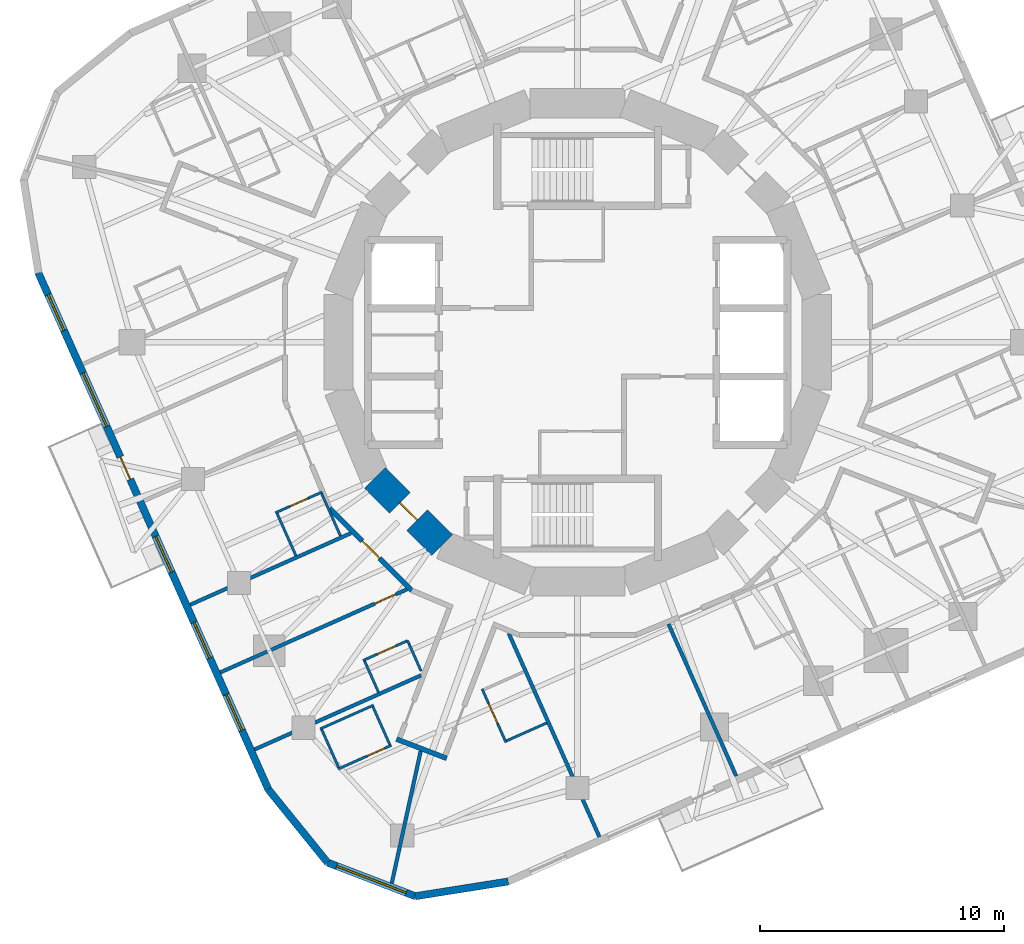
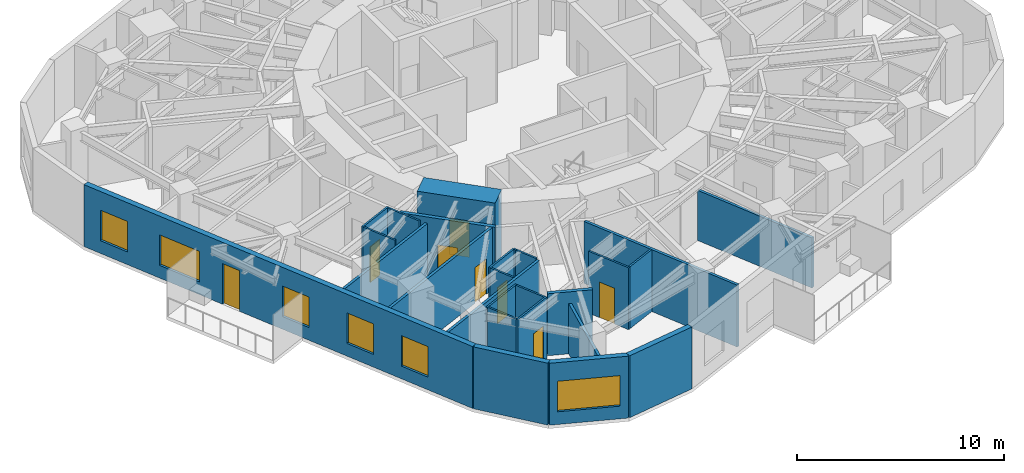
# One storey, part 4 of 12: 26 walls, 8 doors, 6 windows, 14 openings.
"""IFC4 building model written with IfcOpenShell, lengths in metres."""

from ifc_helpers import new_model, si_unit, direction, frame, frame_2d, origin, place, context, subcontext, project, spatial, rectangle, extrude, material, layer, layer_set, type_object, element, fill, save


model = new_model("IFC4")

# Units and contexts
model_context = context("Model", 3, precision=1e-05, world=origin(), true_north=direction((0.0, 1.0)))
body_context = subcontext(model_context, "Body", "Model", "MODEL_VIEW")
ifc_project = project(units=[si_unit("LENGTHUNIT", "METRE"), si_unit("AREAUNIT", "SQUARE_METRE"), si_unit("VOLUMEUNIT", "CUBIC_METRE"), si_unit("PLANEANGLEUNIT", "RADIAN"), si_unit("MASSUNIT", "GRAM", prefix="KILO")], contexts=[model_context])

# Site, building, storey
site_placement = place(None, origin())
site = spatial("IfcSite", under=ifc_project, at=site_placement, CompositionType="ELEMENT")
building_placement = place(site_placement, origin())
building = spatial("IfcBuilding", under=site, at=building_placement, Name="Nakasero Lantern House", CompositionType="ELEMENT")
storey_placement = place(building_placement, frame((0.0, 0.0, 201.699951171875)))
storey = spatial("IfcBuildingStorey", under=building, at=storey_placement, Name="L49", CompositionType="ELEMENT", Elevation=201.699951171875)

# Wall, opening, door
ifc_material_1 = material(Name="Concrete C50/60", Category="concrete")
ifc_layer_1 = layer(ifc_material_1, 1.199951171875)
ifc_layer_set_1 = layer_set([ifc_layer_1], Name="Core wall 1200")
wall_type_1 = type_object("IfcWallType", Name="Core wall 1200", PredefinedType="SHEAR", material=ifc_layer_set_1)
wall_1_placement = place(storey_placement, frame((-8.314697265625, -5.5556640625, 0.0), z_axis=(0.0, 0.0, 1.0), x_axis=(0.707106781187, -0.707106781187, 0.0)))
wall_1 = element("IfcWall", 1, at=wall_1_placement, inside=storey, type_object=wall_type_1, Name="Core wall L49 facet 10", PredefinedType="SHEAR", context=body_context, shape_type="SweptSolid", body=[
    extrude(rectangle(XDim=3.90185546875, YDim=1.199951171875, at=frame_2d((1.950927734375, 0.0))), origin(), (0.0, 0.0, 1.0), 3.85009765625),
])
opening_1_placement = place(wall_1_placement, frame((1.450927734375, 0.0, 0.0)))
opening_1 = element("IfcOpeningElement", 2, at=opening_1_placement, cuts=wall_1, Name="Opening D05", PredefinedType="OPENING", context=body_context, shape_type="SweptSolid", body=[
    extrude(rectangle(XDim=1.0, YDim=2.10009765625, at=frame_2d((0.5, 1.050048828125))), frame((0.0, 0.619873046875, 0.0), z_axis=(0.0, -1.0, 0.0), x_axis=(1.0, 0.0, 0.0)), (0.0, 0.0, 1.0), 1.239990234375),
])
ifc_material_2 = material(Name="Timber C24", Category="wood")
door_type_1 = type_object("IfcDoorType", Name="Core door FD60S 1000", OperationType="SINGLE_SWING_LEFT", PredefinedType="DOOR", material=ifc_material_2)
door_1_placement = place(opening_1_placement, origin())
door_1 = element("IfcDoor", 3, at=door_1_placement, inside=storey, type_object=door_type_1, Name="Door L49 D-CORE10", OperationType="SINGLE_SWING_LEFT", OverallHeight=2.10009765625, OverallWidth=1.0, PredefinedType="DOOR", context=body_context, shape_type="SweptSolid", body=[
    extrude(rectangle(XDim=1.0, YDim=2.10009765625, at=frame_2d((0.5, 1.050048828125))), frame((0.0, 0.02490234375, 0.0), z_axis=(0.0, -1.0, 0.0), x_axis=(1.0, 0.0, 0.0)), (0.0, 0.0, 1.0), 0.050048828125),
])
fill(opening_1, door_1)

ifc_material_3 = material(Name="Blockwork", Category="masonry")
ifc_layer_2 = layer(ifc_material_3, 0.199951171875)
ifc_layer_set_2 = layer_set([ifc_layer_2], Name="Corridor wall 200")
wall_type_2 = type_object("IfcWallType", Name="Corridor wall 200", PredefinedType="PARTITIONING", material=ifc_layer_set_2)
wall_2_placement = place(storey_placement, frame((-6.802001953125, -10.1796875, 0.0), z_axis=(0.0, 0.0, 1.0), x_axis=(-0.707106781187, 0.707106781187, 0.0)))
wall_2 = element("IfcWall", 4, at=wall_2_placement, inside=storey, type_object=wall_type_2, Name="Corridor wall L49 RC06a", PredefinedType="PARTITIONING", context=body_context, shape_type="SweptSolid", body=[
    extrude(rectangle(XDim=4.77685546875, YDim=0.199951171875, at=frame_2d((2.388427734375, 0.0))), origin(), (0.0, 0.0, 1.0), 3.650146484375),
])
opening_2_placement = place(wall_2_placement, frame((1.8701171875, 0.0, 0.0)))
opening_2 = element("IfcOpeningElement", 5, at=opening_2_placement, cuts=wall_2, Name="Opening D14", PredefinedType="OPENING", context=body_context, shape_type="SweptSolid", body=[
    extrude(rectangle(XDim=1.0, YDim=2.10009765625, at=frame_2d((0.5, 1.050048828125))), frame((0.0, 0.119873046875, 0.0), z_axis=(0.0, -1.0, 0.0), x_axis=(1.0, 0.0, 0.0)), (0.0, 0.0, 1.0), 0.239990234375),
])
ifc_material_4 = material(Name="Timber C24", Category="wood")
door_type_2 = type_object("IfcDoorType", Name="Cluster entrance door FD30S 1000", OperationType="SINGLE_SWING_LEFT", PredefinedType="DOOR", material=ifc_material_4)
door_2_placement = place(opening_2_placement, origin())
door_2 = element("IfcDoor", 6, at=door_2_placement, inside=storey, type_object=door_type_2, Name="Door L49 D2-04", OperationType="SINGLE_SWING_LEFT", OverallHeight=2.10009765625, OverallWidth=1.0, PredefinedType="DOOR", context=body_context, shape_type="SweptSolid", body=[
    extrude(rectangle(XDim=1.0, YDim=2.10009765625, at=frame_2d((0.5, 1.050048828125))), frame((0.0, 0.02490234375, 0.0), z_axis=(0.0, -1.0, 0.0), x_axis=(1.0, 0.0, 0.0)), (0.0, 0.0, 1.0), 0.050048828125),
])
fill(opening_2, door_2)

# Wall
wall_3_placement = place(storey_placement, frame((-7.426513671875, -16.277587890625, 0.0), z_axis=(0.0, 0.0, 1.0), x_axis=(0.933582812604, -0.358361733464, 0.0)))
element("IfcWall", 7, at=wall_3_placement, inside=storey, type_object=wall_type_2, Name="Corridor wall L49 SP2e", PredefinedType="PARTITIONING", context=body_context, shape_type="SweptSolid", body=[
    extrude(rectangle(XDim=2.19970703125, YDim=0.199951171875, at=frame_2d((1.099853515625, 0.0))), origin(), (0.0, 0.0, 1.0), 3.650146484375),
])

# Wall, opening, door
ifc_material_5 = material(Name="Blockwork", Category="masonry")
ifc_layer_3 = layer(ifc_material_5, 0.10009765625)
ifc_layer_set_3 = layer_set([ifc_layer_3], Name="En-suite wall 100")
wall_type_3 = type_object("IfcWallType", Name="En-suite wall 100", PredefinedType="PARTITIONING", material=ifc_layer_set_3)
wall_4_placement = place(storey_placement, frame((-10.475341796875, -6.138916015625, 0.0), z_axis=(0.0, 0.0, 1.0), x_axis=(-0.913528480824, -0.406774771494, 0.0)))
wall_4 = element("IfcWall", 8, at=wall_4_placement, inside=storey, type_object=wall_type_3, Name="En-suite wall L49 ES2-03", PredefinedType="PARTITIONING", context=body_context, shape_type="SweptSolid", body=[
    extrude(rectangle(XDim=2.10009765625, YDim=0.10009765625, at=frame_2d((1.050048828125, 0.0))), origin(), (0.0, 0.0, 1.0), 3.650146484375),
])
opening_3_placement = place(wall_4_placement, frame((0.64990234375, 0.0, 0.0)))
opening_3 = element("IfcOpeningElement", 9, at=opening_3_placement, cuts=wall_4, Name="Opening D02", PredefinedType="OPENING", context=body_context, shape_type="SweptSolid", body=[
    extrude(rectangle(XDim=0.800048828125, YDim=2.10009765625, at=frame_2d((0.39990234375, 1.050048828125))), frame((0.0, 0.070068359375, 0.0), z_axis=(0.0, -1.0, 0.0), x_axis=(1.0, 0.0, 0.0)), (0.0, 0.0, 1.0), 0.14013671875),
])
ifc_material_6 = material(Name="Timber C24", Category="wood")
door_type_3 = type_object("IfcDoorType", Name="En-suite door 800", OperationType="SINGLE_SWING_RIGHT", PredefinedType="DOOR", material=ifc_material_6)
door_3_placement = place(opening_3_placement, origin())
door_3 = element("IfcDoor", 10, at=door_3_placement, inside=storey, type_object=door_type_3, Name="Door L49 DE2-03", OperationType="SINGLE_SWING_LEFT", OverallHeight=2.10009765625, OverallWidth=0.800048828125, PredefinedType="DOOR", context=body_context, shape_type="SweptSolid", body=[
    extrude(rectangle(XDim=0.800048828125, YDim=2.10009765625, at=frame_2d((0.39990234375, 1.050048828125))), frame((0.0, 0.02490234375, 0.0), z_axis=(0.0, -1.0, 0.0), x_axis=(1.0, 0.0, 0.0)), (0.0, 0.0, 1.0), 0.050048828125),
])
fill(opening_3, door_3)

# Walls
for number, where, z_axis, x_axis, name in (
    (11, (-12.327880859375, -7.0185546875, 0.0), (0.0, 0.0, 1.0), (0.406722623293, -0.913551699523, 0.0), "En-suite wall L49 EE2-03"),
    (12, (-10.500732421875, -6.205078125, 0.0), (0.0, 0.0, 1.0), (0.406722623293, -0.913551699523, 0.0), "En-suite wall L49 EI2-03"),
):
    element("IfcWall", number, at=place(storey_placement, frame(where, z_axis=z_axis, x_axis=x_axis)), inside=storey, type_object=wall_type_3, Name=name, PredefinedType="PARTITIONING", context=body_context, shape_type="SweptSolid", body=[
        extrude(rectangle(XDim=1.89990234375, YDim=0.10009765625, at=frame_2d((0.949951171875, 0.0))), origin(), (0.0, 0.0, 1.0), 3.650146484375),
    ])

# Wall, opening, door
wall_5_placement = place(storey_placement, frame((-6.974853515625, -12.23974609375, 0.0), z_axis=(0.0, 0.0, 1.0), x_axis=(-0.913549606868, -0.406727323635, 0.0)))
wall_5 = element("IfcWall", 13, at=wall_5_placement, inside=storey, type_object=wall_type_3, Name="En-suite wall L49 ES2-05", PredefinedType="PARTITIONING", context=body_context, shape_type="SweptSolid", body=[
    extrude(rectangle(XDim=2.0, YDim=0.10009765625, at=frame_2d((1.0, 0.0))), origin(), (0.0, 0.0, 1.0), 3.650146484375),
])
opening_4_placement = place(wall_5_placement, frame((0.550048828125, 0.0, 0.0)))
opening_4 = element("IfcOpeningElement", 14, at=opening_4_placement, cuts=wall_5, Name="Opening D02", PredefinedType="OPENING", context=body_context, shape_type="SweptSolid", body=[
    extrude(rectangle(XDim=0.800048828125, YDim=2.10009765625, at=frame_2d((0.39990234375, 1.050048828125))), frame((0.0, 0.070068359375, 0.0), z_axis=(0.0, -1.0, 0.0), x_axis=(1.0, 0.0, 0.0)), (0.0, 0.0, 1.0), 0.14013671875),
])
door_4_placement = place(opening_4_placement, origin())
door_4 = element("IfcDoor", 15, at=door_4_placement, inside=storey, type_object=door_type_3, Name="Door L49 DE2-05", OperationType="SINGLE_SWING_LEFT", OverallHeight=2.10009765625, OverallWidth=0.800048828125, PredefinedType="DOOR", context=body_context, shape_type="SweptSolid", body=[
    extrude(rectangle(XDim=0.800048828125, YDim=2.10009765625, at=frame_2d((0.39990234375, 1.050048828125))), frame((0.0, 0.02490234375, 0.0), z_axis=(0.0, -1.0, 0.0), x_axis=(1.0, 0.0, 0.0)), (0.0, 0.0, 1.0), 0.050048828125),
])
fill(opening_4, door_4)

# Wall
wall_6_placement = place(storey_placement, frame((-8.736083984375, -13.07861328125, 0.0), z_axis=(0.0, 0.0, 1.0), x_axis=(0.406801678348, -0.9135164993, 0.0)))
element("IfcWall", 16, at=wall_6_placement, inside=storey, type_object=wall_type_3, Name="En-suite wall L49 EE2-05", PredefinedType="PARTITIONING", context=body_context, shape_type="SweptSolid", body=[
    extrude(rectangle(XDim=1.400146484375, YDim=0.10009765625, at=frame_2d((0.7001953125, 0.0))), origin(), (0.0, 0.0, 1.0), 3.650146484375),
])

# Wall, opening, door
wall_7_placement = place(storey_placement, frame((-7.63720703125, -16.530029296875, 0.0), z_axis=(0.0, 0.0, 1.0), x_axis=(-0.913513461389, -0.406808500233, 0.0)))
wall_7 = element("IfcWall", 17, at=wall_7_placement, inside=storey, type_object=wall_type_3, Name="En-suite wall L49 ES2-06", PredefinedType="PARTITIONING", context=body_context, shape_type="SweptSolid", body=[
    extrude(rectangle(XDim=2.39990234375, YDim=0.10009765625, at=frame_2d((1.199951171875, 0.0))), origin(), (0.0, 0.0, 1.0), 3.650146484375),
])
opening_5_placement = place(wall_7_placement, frame((0.300048828125, 0.0, 0.0)))
opening_5 = element("IfcOpeningElement", 18, at=opening_5_placement, cuts=wall_7, Name="Opening D02", PredefinedType="OPENING", context=body_context, shape_type="SweptSolid", body=[
    extrude(rectangle(XDim=0.800048828125, YDim=2.10009765625, at=frame_2d((0.39990234375, 1.050048828125))), frame((0.0, 0.070068359375, 0.0), z_axis=(0.0, -1.0, 0.0), x_axis=(1.0, 0.0, 0.0)), (0.0, 0.0, 1.0), 0.14013671875),
])
door_5_placement = place(opening_5_placement, origin())
door_5 = element("IfcDoor", 19, at=door_5_placement, inside=storey, type_object=door_type_3, Name="Door L49 DE2-06", OperationType="SINGLE_SWING_LEFT", OverallHeight=2.10009765625, OverallWidth=0.800048828125, PredefinedType="DOOR", context=body_context, shape_type="SweptSolid", body=[
    extrude(rectangle(XDim=0.800048828125, YDim=2.10009765625, at=frame_2d((0.39990234375, 1.050048828125))), frame((0.0, 0.02490234375, 0.0), z_axis=(0.0, -1.0, 0.0), x_axis=(1.0, 0.0, 0.0)), (0.0, 0.0, 1.0), 0.050048828125),
])
fill(opening_5, door_5)

# Walls
wall_8_placement = place(storey_placement, frame((-8.369384765625, -14.8857421875, 0.0), z_axis=(0.0, 0.0, 1.0), x_axis=(-0.913551263516, -0.406723602621, 0.0)))
element("IfcWall", 20, at=wall_8_placement, inside=storey, type_object=wall_type_3, Name="En-suite wall L49 EV2-06", PredefinedType="PARTITIONING", context=body_context, shape_type="SweptSolid", body=[
    extrude(rectangle(XDim=2.39990234375, YDim=0.10009765625, at=frame_2d((1.199951171875, 0.0))), origin(), (0.0, 0.0, 1.0), 3.650146484375),
])
for number, where, z_axis, x_axis, name in (
    (21, (-10.495849609375, -15.88720703125, 0.0), (0.0, 0.0, 1.0), (0.406724697108, -0.913550776237, 0.0), "En-suite wall L49 EE2-06"),
    (22, (-8.39453125, -14.95166015625, 0.0), (0.0, 0.0, 1.0), (0.406724697108, -0.913550776237, 0.0), "En-suite wall L49 EI2-06"),
):
    element("IfcWall", number, at=place(storey_placement, frame(where, z_axis=z_axis, x_axis=x_axis)), inside=storey, type_object=wall_type_3, Name=name, PredefinedType="PARTITIONING", context=body_context, shape_type="SweptSolid", body=[
        extrude(rectangle(XDim=1.699951171875, YDim=0.10009765625, at=frame_2d((0.85009765625, 0.0))), origin(), (0.0, 0.0, 1.0), 3.650146484375),
    ])

# Wall, opening, door
wall_9_placement = place(storey_placement, frame((-3.914306640625, -14.2216796875, 0.0), z_axis=(0.0, 0.0, 1.0), x_axis=(0.406723602621, -0.913551263516, 0.0)))
wall_9 = element("IfcWall", 23, at=wall_9_placement, inside=storey, type_object=wall_type_3, Name="En-suite wall L49 ES3-00", PredefinedType="PARTITIONING", context=body_context, shape_type="SweptSolid", body=[
    extrude(rectangle(XDim=2.39990234375, YDim=0.10009765625, at=frame_2d((1.199951171875, 0.0))), origin(), (0.0, 0.0, 1.0), 3.650146484375),
])
opening_6_placement = place(wall_9_placement, frame((0.64990234375, 0.0, 0.0)))
opening_6 = element("IfcOpeningElement", 24, at=opening_6_placement, cuts=wall_9, Name="Opening D16", PredefinedType="OPENING", context=body_context, shape_type="SweptSolid", body=[
    extrude(rectangle(XDim=0.89990234375, YDim=2.10009765625, at=frame_2d((0.449951171875, 1.050048828125))), frame((0.0, 0.070068359375, 0.0), z_axis=(0.0, -1.0, 0.0), x_axis=(1.0, 0.0, 0.0)), (0.0, 0.0, 1.0), 0.14013671875),
])
ifc_material_7 = material(Name="Timber C24", Category="wood")
door_type_4 = type_object("IfcDoorType", Name="Accessible WC door 900", OperationType="SINGLE_SWING_RIGHT", PredefinedType="DOOR", material=ifc_material_7)
door_6_placement = place(opening_6_placement, origin())
door_6 = element("IfcDoor", 25, at=door_6_placement, inside=storey, type_object=door_type_4, Name="Door L49 DE3-00", OperationType="SINGLE_SWING_LEFT", OverallHeight=2.10009765625, OverallWidth=0.89990234375, PredefinedType="DOOR", context=body_context, shape_type="SweptSolid", body=[
    extrude(rectangle(XDim=0.89990234375, YDim=2.10009765625, at=frame_2d((0.449951171875, 1.050048828125))), frame((0.0, 0.02490234375, 0.0), z_axis=(0.0, -1.0, 0.0), x_axis=(1.0, 0.0, 0.0)), (0.0, 0.0, 1.0), 0.050048828125),
])
fill(opening_6, door_6)

# Walls
wall_10_placement = place(storey_placement, frame((-2.912841796875, -16.34814453125, 0.0), z_axis=(0.0, 0.0, 1.0), x_axis=(0.913548502595, 0.406729803932, 0.0)))
element("IfcWall", 26, at=wall_10_placement, inside=storey, type_object=wall_type_3, Name="En-suite wall L49 EE3-00", PredefinedType="PARTITIONING", context=body_context, shape_type="SweptSolid", body=[
    extrude(rectangle(XDim=1.800048828125, YDim=0.10009765625, at=frame_2d((0.89990234375, 0.0))), origin(), (0.0, 0.0, 1.0), 3.650146484375),
])
wall_11_placement = place(storey_placement, frame((-6.419677734375, -13.48681640625, 0.0), z_axis=(0.0, 0.0, 1.0), x_axis=(-0.406815070933, 0.913510535277, 0.0)))
element("IfcWall", 27, at=wall_11_placement, inside=storey, type_object=wall_type_3, Name="En-suite wall L49 EX002", PredefinedType="PARTITIONING", context=body_context, shape_type="SweptSolid", body=[
    extrude(rectangle(XDim=1.205078125, YDim=0.10009765625, at=frame_2d((0.6025390625, 0.0))), origin(), (0.0, 0.0, 1.0), 3.650146484375),
])
wall_12_placement = place(storey_placement, frame((-6.974853515625, -12.23974609375, 0.0), z_axis=(0.0, 0.0, 1.0), x_axis=(0.405855313637, -0.913937341612, 0.0)))
element("IfcWall", 28, at=wall_12_placement, inside=storey, type_object=wall_type_3, Name="En-suite wall L49 ES2-05R0", PredefinedType="PARTITIONING", context=body_context, shape_type="SweptSolid", body=[
    extrude(rectangle(XDim=0.159912109375, YDim=0.10009765625, at=frame_2d((0.080078125, 0.0))), origin(), (0.0, 0.0, 1.0), 3.650146484375),
])

# Wall, openings, door, windows
ifc_material_8 = material(Name="Aluminium rainscreen on blockwork", Category="masonry")
ifc_layer_4 = layer(ifc_material_8, 0.300048828125)
ifc_layer_set_4 = layer_set([ifc_layer_4], Name="Facade wall 300")
wall_type_4 = type_object("IfcWallType", Name="Facade wall 300", PredefinedType="SOLIDWALL", material=ifc_layer_set_4)
wall_13_placement = place(storey_placement, frame((-22.12109375, 2.848876953125, 0.0), z_axis=(0.0, 0.0, 1.0), x_axis=(0.406734951338, -0.913546210851, 0.0)))
wall_13 = element("IfcWall", 29, at=wall_13_placement, inside=storey, type_object=wall_type_4, Name="Facade wall L49 FW2S", PredefinedType="SOLIDWALL", context=body_context, shape_type="SweptSolid", body=[
    extrude(rectangle(XDim=23.199951171875, YDim=0.300048828125, at=frame_2d((11.60009765625, 0.0))), origin(), (0.0, 0.0, 1.0), 3.650146484375),
])
opening_7_placement = place(wall_13_placement, frame((0.982421875, 0.0, 0.75)))
opening_7 = element("IfcOpeningElement", 30, at=opening_7_placement, cuts=wall_13, Name="Opening W01", PredefinedType="OPENING", context=body_context, shape_type="SweptSolid", body=[
    extrude(rectangle(XDim=1.60009765625, YDim=1.800048828125, at=frame_2d((0.800048828125, 0.89990234375))), frame((0.0, 0.169921875, 0.0), z_axis=(0.0, -1.0, 0.0), x_axis=(1.0, 0.0, 0.0)), (0.0, 0.0, 1.0), 0.340087890625),
])
opening_8_placement = place(wall_13_placement, frame((11.83984375, 0.0, 0.75)))
opening_8 = element("IfcOpeningElement", 31, at=opening_8_placement, cuts=wall_13, Name="Opening W01", PredefinedType="OPENING", context=body_context, shape_type="SweptSolid", body=[
    extrude(rectangle(XDim=1.60009765625, YDim=1.800048828125, at=frame_2d((0.800048828125, 0.89990234375))), frame((0.0, 0.169921875, 0.0), z_axis=(0.0, -1.0, 0.0), x_axis=(1.0, 0.0, 0.0)), (0.0, 0.0, 1.0), 0.340087890625),
])
opening_9_placement = place(wall_13_placement, frame((15.69140625, 0.0, 0.75)))
opening_9 = element("IfcOpeningElement", 32, at=opening_9_placement, cuts=wall_13, Name="Opening W01", PredefinedType="OPENING", context=body_context, shape_type="SweptSolid", body=[
    extrude(rectangle(XDim=1.60009765625, YDim=1.800048828125, at=frame_2d((0.800048828125, 0.89990234375))), frame((0.0, 0.169921875, 0.0), z_axis=(0.0, -1.0, 0.0), x_axis=(1.0, 0.0, 0.0)), (0.0, 0.0, 1.0), 0.340087890625),
])
opening_10_placement = place(wall_13_placement, frame((18.940185546875, 0.0, 0.75)))
opening_10 = element("IfcOpeningElement", 33, at=opening_10_placement, cuts=wall_13, Name="Opening W01", PredefinedType="OPENING", context=body_context, shape_type="SweptSolid", body=[
    extrude(rectangle(XDim=1.60009765625, YDim=1.800048828125, at=frame_2d((0.800048828125, 0.89990234375))), frame((0.0, 0.169921875, 0.0), z_axis=(0.0, -1.0, 0.0), x_axis=(1.0, 0.0, 0.0)), (0.0, 0.0, 1.0), 0.340087890625),
])
opening_11_placement = place(wall_13_placement, frame((4.500244140625, 0.0, 0.75)))
opening_11 = element("IfcOpeningElement", 34, at=opening_11_placement, cuts=wall_13, Name="Opening W03", PredefinedType="OPENING", context=body_context, shape_type="SweptSolid", body=[
    extrude(rectangle(XDim=2.39990234375, YDim=1.800048828125, at=frame_2d((1.199951171875, 0.89990234375))), frame((0.0, 0.169921875, 0.0), z_axis=(0.0, -1.0, 0.0), x_axis=(1.0, 0.0, 0.0)), (0.0, 0.0, 1.0), 0.340087890625),
])
opening_12_placement = place(wall_13_placement, frame((8.271484375, 0.0, 0.0)))
opening_12 = element("IfcOpeningElement", 35, at=opening_12_placement, cuts=wall_13, Name="Opening D04", PredefinedType="OPENING", context=body_context, shape_type="SweptSolid", body=[
    extrude(rectangle(XDim=1.0, YDim=2.39990234375, at=frame_2d((0.5, 1.199951171875))), frame((0.0, 0.169921875, 0.0), z_axis=(0.0, -1.0, 0.0), x_axis=(1.0, 0.0, 0.0)), (0.0, 0.0, 1.0), 0.340087890625),
])
ifc_material_9 = material(Name="Aluminium 6063-T6 and glass", Category="aluminium")
door_type_5 = type_object("IfcDoorType", Name="Balcony door 1000x2400", OperationType="SINGLE_SWING_RIGHT", PredefinedType="DOOR", material=ifc_material_9)
door_7_placement = place(opening_12_placement, origin())
door_7 = element("IfcDoor", 36, at=door_7_placement, inside=storey, type_object=door_type_5, Name="Balcony door L49 DB2", OperationType="SINGLE_SWING_RIGHT", OverallHeight=2.39990234375, OverallWidth=1.0, PredefinedType="DOOR", context=body_context, shape_type="SweptSolid", body=[
    extrude(rectangle(XDim=1.0, YDim=2.39990234375, at=frame_2d((0.5, 1.199951171875))), frame((0.0, 0.02490234375, 0.0), z_axis=(0.0, -1.0, 0.0), x_axis=(1.0, 0.0, 0.0)), (0.0, 0.0, 1.0), 0.050048828125),
])
fill(opening_12, door_7)
ifc_material_10 = material(Name="Aluminium 6063-T6 and glass", Category="aluminium")
window_type_1 = type_object("IfcWindowType", Name="Bedroom window 1600x1800", PartitioningType="SINGLE_PANEL", PredefinedType="WINDOW", material=ifc_material_10)
window_1_placement = place(opening_7_placement, origin())
window_1 = element("IfcWindow", 37, at=window_1_placement, inside=storey, type_object=window_type_1, Name="Window L49 WN2-00", OverallHeight=1.800048828125, OverallWidth=1.60009765625, PartitioningType="SINGLE_PANEL", PredefinedType="WINDOW", context=body_context, shape_type="SweptSolid", body=[
    extrude(rectangle(XDim=1.60009765625, YDim=1.800048828125, at=frame_2d((0.800048828125, 0.89990234375))), frame((0.0, 0.030029296875, 0.0), z_axis=(0.0, -1.0, 0.0), x_axis=(1.0, 0.0, 0.0)), (0.0, 0.0, 1.0), 0.06005859375),
])
fill(opening_7, window_1)
window_2_placement = place(opening_8_placement, origin())
window_2 = element("IfcWindow", 38, at=window_2_placement, inside=storey, type_object=window_type_1, Name="Window L49 WN2-03", OverallHeight=1.800048828125, OverallWidth=1.60009765625, PartitioningType="SINGLE_PANEL", PredefinedType="WINDOW", context=body_context, shape_type="SweptSolid", body=[
    extrude(rectangle(XDim=1.60009765625, YDim=1.800048828125, at=frame_2d((0.800048828125, 0.89990234375))), frame((0.0, 0.030029296875, 0.0), z_axis=(0.0, -1.0, 0.0), x_axis=(1.0, 0.0, 0.0)), (0.0, 0.0, 1.0), 0.06005859375),
])
fill(opening_8, window_2)
window_3_placement = place(opening_9_placement, origin())
window_3 = element("IfcWindow", 39, at=window_3_placement, inside=storey, type_object=window_type_1, Name="Window L49 WN2-04", OverallHeight=1.800048828125, OverallWidth=1.60009765625, PartitioningType="SINGLE_PANEL", PredefinedType="WINDOW", context=body_context, shape_type="SweptSolid", body=[
    extrude(rectangle(XDim=1.60009765625, YDim=1.800048828125, at=frame_2d((0.800048828125, 0.89990234375))), frame((0.0, 0.030029296875, 0.0), z_axis=(0.0, -1.0, 0.0), x_axis=(1.0, 0.0, 0.0)), (0.0, 0.0, 1.0), 0.06005859375),
])
fill(opening_9, window_3)
window_4_placement = place(opening_10_placement, origin())
window_4 = element("IfcWindow", 40, at=window_4_placement, inside=storey, type_object=window_type_1, Name="Window L49 WN2-05", OverallHeight=1.800048828125, OverallWidth=1.60009765625, PartitioningType="SINGLE_PANEL", PredefinedType="WINDOW", context=body_context, shape_type="SweptSolid", body=[
    extrude(rectangle(XDim=1.60009765625, YDim=1.800048828125, at=frame_2d((0.800048828125, 0.89990234375))), frame((0.0, 0.030029296875, 0.0), z_axis=(0.0, -1.0, 0.0), x_axis=(1.0, 0.0, 0.0)), (0.0, 0.0, 1.0), 0.06005859375),
])
fill(opening_10, window_4)
ifc_material_11 = material(Name="Aluminium 6063-T6 and glass", Category="aluminium")
window_type_2 = type_object("IfcWindowType", Name="Lounge window 2400x1800", PartitioningType="SINGLE_PANEL", PredefinedType="WINDOW", material=ifc_material_11)
window_5_placement = place(opening_11_placement, origin())
window_5 = element("IfcWindow", 41, at=window_5_placement, inside=storey, type_object=window_type_2, Name="Window L49 WK2", OverallHeight=1.800048828125, OverallWidth=2.39990234375, PartitioningType="SINGLE_PANEL", PredefinedType="WINDOW", context=body_context, shape_type="SweptSolid", body=[
    extrude(rectangle(XDim=2.39990234375, YDim=1.800048828125, at=frame_2d((1.199951171875, 0.89990234375))), frame((0.0, 0.030029296875, 0.0), z_axis=(0.0, -1.0, 0.0), x_axis=(1.0, 0.0, 0.0)), (0.0, 0.0, 1.0), 0.06005859375),
])
fill(opening_11, window_5)

# Wall
wall_14_placement = place(storey_placement, frame((-12.684814453125, -18.345458984375, 0.0), z_axis=(0.0, 0.0, 1.0), x_axis=(0.629285642335, -0.777174099125, 0.0)))
element("IfcWall", 42, at=wall_14_placement, inside=storey, type_object=wall_type_4, Name="Facade wall L49 FW2C1", PredefinedType="SOLIDWALL", context=body_context, shape_type="SweptSolid", body=[
    extrude(rectangle(XDim=3.8564453125, YDim=0.300048828125, at=frame_2d((1.92822265625, 0.0))), origin(), (0.0, 0.0, 1.0), 3.650146484375),
])

# Wall, opening, window
wall_15_placement = place(storey_placement, frame((-10.258056640625, -21.342529296875, 0.0), z_axis=(0.0, 0.0, 1.0), x_axis=(0.933598278948, -0.358321438858, 0.0)))
wall_15 = element("IfcWall", 43, at=wall_15_placement, inside=storey, type_object=wall_type_4, Name="Facade wall L49 FW2C2", PredefinedType="SOLIDWALL", context=body_context, shape_type="SweptSolid", body=[
    extrude(rectangle(XDim=3.8564453125, YDim=0.300048828125, at=frame_2d((1.92822265625, 0.0))), origin(), (0.0, 0.0, 1.0), 3.650146484375),
])
opening_13_placement = place(wall_15_placement, frame((0.39990234375, 0.0, 0.75)))
opening_13 = element("IfcOpeningElement", 44, at=opening_13_placement, cuts=wall_15, Name="Opening W230", PredefinedType="OPENING", context=body_context, shape_type="SweptSolid", body=[
    extrude(rectangle(XDim=3.055908203125, YDim=1.800048828125, at=frame_2d((1.52783203125, 0.89990234375))), frame((0.0, 0.169921875, 0.0), z_axis=(0.0, -1.0, 0.0), x_axis=(1.0, 0.0, 0.0)), (0.0, 0.0, 1.0), 0.340087890625),
])
ifc_material_12 = material(Name="Aluminium 6063-T6 and glass", Category="aluminium")
window_type_3 = type_object("IfcWindowType", Name="Corner window 3056x1800", PartitioningType="SINGLE_PANEL", PredefinedType="WINDOW", material=ifc_material_12)
window_6_placement = place(opening_13_placement, origin())
window_6 = element("IfcWindow", 45, at=window_6_placement, inside=storey, type_object=window_type_3, Name="Window L49 WC2", OverallHeight=1.800048828125, OverallWidth=3.055908203125, PartitioningType="SINGLE_PANEL", PredefinedType="WINDOW", context=body_context, shape_type="SweptSolid", body=[
    extrude(rectangle(XDim=3.055908203125, YDim=1.800048828125, at=frame_2d((1.52783203125, 0.89990234375))), frame((0.0, 0.030029296875, 0.0), z_axis=(0.0, -1.0, 0.0), x_axis=(1.0, 0.0, 0.0)), (0.0, 0.0, 1.0), 0.06005859375),
])
fill(opening_13, window_6)

# Walls
wall_16_placement = place(storey_placement, frame((-6.65771484375, -22.724365234375, 0.0), z_axis=(0.0, 0.0, 1.0), x_axis=(0.987687906802, 0.156437203878, 0.0)))
element("IfcWall", 46, at=wall_16_placement, inside=storey, type_object=wall_type_4, Name="Facade wall L49 FW2C3", PredefinedType="SOLIDWALL", context=body_context, shape_type="SweptSolid", body=[
    extrude(rectangle(XDim=3.856201171875, YDim=0.300048828125, at=frame_2d((1.92822265625, 0.0))), origin(), (0.0, 0.0, 1.0), 3.650146484375),
])
ifc_material_13 = material(Name="Blockwork", Category="masonry")
ifc_layer_5 = layer(ifc_material_13, 0.14990234375)
ifc_layer_set_5 = layer_set([ifc_layer_5], Name="Party wall 150")
wall_type_5 = type_object("IfcWallType", Name="Party wall 150", PredefinedType="PARTITIONING", material=ifc_layer_set_5)
wall_17_placement = place(storey_placement, frame((-9.293701171875, -7.829345703125, 0.0), z_axis=(0.0, 0.0, 1.0), x_axis=(-0.913535447493, -0.406759125496, 0.0)))
element("IfcWall", 47, at=wall_17_placement, inside=storey, type_object=wall_type_5, Name="Party wall L49 PW2-04", PredefinedType="PARTITIONING", context=body_context, shape_type="SweptSolid", body=[
    extrude(rectangle(XDim=7.225341796875, YDim=0.14990234375, at=frame_2d((3.61279296875, 0.0))), origin(), (0.0, 0.0, 1.0), 3.295166015625),
])

# Wall, opening, door
wall_18_placement = place(storey_placement, frame((-6.99267578125, -10.130615234375, 0.0), z_axis=(0.0, 0.0, 1.0), x_axis=(-0.913547411288, -0.406732255089, 0.0)))
wall_18 = element("IfcWall", 48, at=wall_18_placement, inside=storey, type_object=wall_type_5, Name="Party wall L49 PW2-05", PredefinedType="PARTITIONING", context=body_context, shape_type="SweptSolid", body=[
    extrude(rectangle(XDim=8.3916015625, YDim=0.14990234375, at=frame_2d((4.19580078125, 0.0))), origin(), (0.0, 0.0, 1.0), 3.650146484375),
])
opening_14_placement = place(wall_18_placement, frame((0.5, 0.0, 0.0)))
opening_14 = element("IfcOpeningElement", 49, at=opening_14_placement, cuts=wall_18, Name="Opening D01", PredefinedType="OPENING", context=body_context, shape_type="SweptSolid", body=[
    extrude(rectangle(XDim=0.949951171875, YDim=2.10009765625, at=frame_2d((0.47509765625, 1.050048828125))), frame((0.0, 0.094970703125, 0.0), z_axis=(0.0, -1.0, 0.0), x_axis=(1.0, 0.0, 0.0)), (0.0, 0.0, 1.0), 0.18994140625),
])
ifc_material_14 = material(Name="Timber C24", Category="wood")
door_type_6 = type_object("IfcDoorType", Name="Bedroom door FD30S 950", OperationType="SINGLE_SWING_LEFT", PredefinedType="DOOR", material=ifc_material_14)
door_8_placement = place(opening_14_placement, origin())
door_8 = element("IfcDoor", 50, at=door_8_placement, inside=storey, type_object=door_type_6, Name="Door L49 DS2-05", OperationType="SINGLE_SWING_LEFT", OverallHeight=2.10009765625, OverallWidth=0.949951171875, PredefinedType="DOOR", context=body_context, shape_type="SweptSolid", body=[
    extrude(rectangle(XDim=0.949951171875, YDim=2.10009765625, at=frame_2d((0.47509765625, 1.050048828125))), frame((0.0, 0.02490234375, 0.0), z_axis=(0.0, -1.0, 0.0), x_axis=(1.0, 0.0, 0.0)), (0.0, 0.0, 1.0), 0.050048828125),
])
fill(opening_14, door_8)

# Walls
wall_19_placement = place(storey_placement, frame((-6.423095703125, -13.663330078125, 0.0), z_axis=(0.0, 0.0, 1.0), x_axis=(-0.913546019887, -0.406735380252, 0.0)))
element("IfcWall", 51, at=wall_19_placement, inside=storey, type_object=wall_type_5, Name="Party wall L49 PW2-06", PredefinedType="PARTITIONING", context=body_context, shape_type="SweptSolid", body=[
    extrude(rectangle(XDim=7.474853515625, YDim=0.14990234375, at=frame_2d((3.7373046875, 0.0))), origin(), (0.0, 0.0, 1.0), 3.650146484375),
])
wall_20_placement = place(storey_placement, frame((-6.435546875, -16.76513671875, 0.0), z_axis=(0.0, 0.0, 1.0), x_axis=(-0.213734913997, -0.976891696422, 0.0)))
element("IfcWall", 52, at=wall_20_placement, inside=storey, type_object=wall_type_5, Name="Party wall L49 PW3-00", PredefinedType="PARTITIONING", context=body_context, shape_type="SweptSolid", body=[
    extrude(rectangle(XDim=5.55126953125, YDim=0.14990234375, at=frame_2d((2.775634765625, 0.0))), origin(), (0.0, 0.0, 1.0), 2.966552734375),
])
wall_21_placement = place(storey_placement, frame((-2.824951171875, -11.935302734375, 0.0), z_axis=(0.0, 0.0, 1.0), x_axis=(0.40672291788, -0.91355156837, 0.0)))
element("IfcWall", 53, at=wall_21_placement, inside=storey, type_object=wall_type_5, Name="Party wall L49 PW3-01", PredefinedType="PARTITIONING", context=body_context, shape_type="SweptSolid", body=[
    extrude(rectangle(XDim=9.1455078125, YDim=0.14990234375, at=frame_2d((4.57275390625, 0.0))), origin(), (0.0, 0.0, 1.0), 3.650146484375),
])
wall_22_placement = place(storey_placement, frame((3.7314453125, -11.559814453125, 0.0), z_axis=(0.0, 0.0, 1.0), x_axis=(0.406739408224, -0.913544226514, 0.0)))
element("IfcWall", 54, at=wall_22_placement, inside=storey, type_object=wall_type_5, Name="Party wall L49 PW3-03", PredefinedType="PARTITIONING", context=body_context, shape_type="SweptSolid", body=[
    extrude(rectangle(XDim=6.82177734375, YDim=0.14990234375, at=frame_2d((3.410888671875, 0.0))), origin(), (0.0, 0.0, 1.0), 2.95703125),
])

save(model, "model.ifc")
